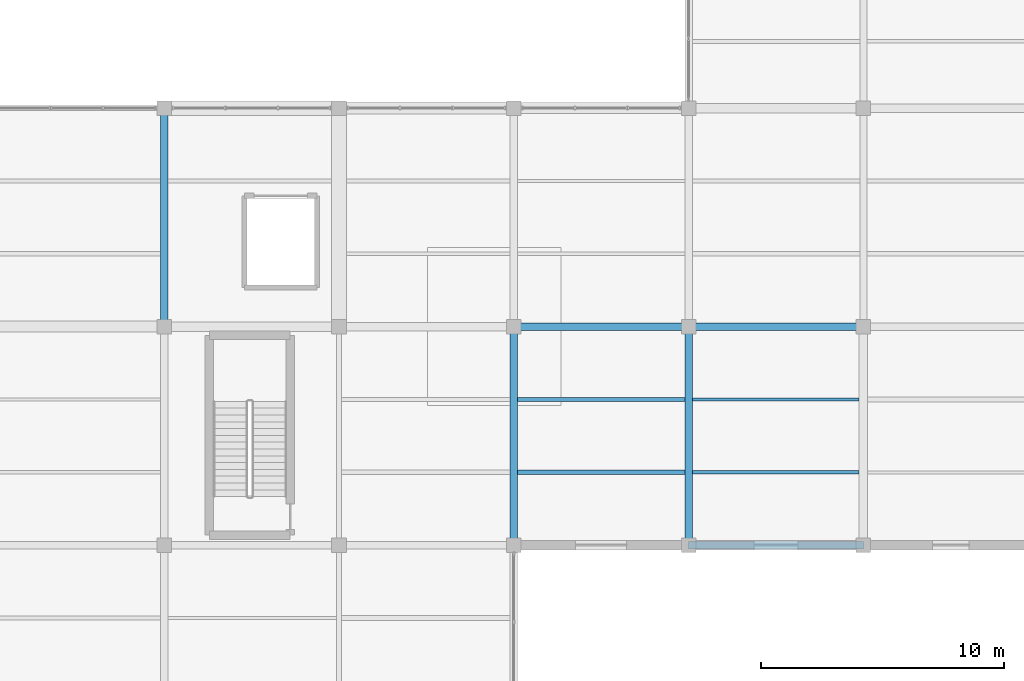
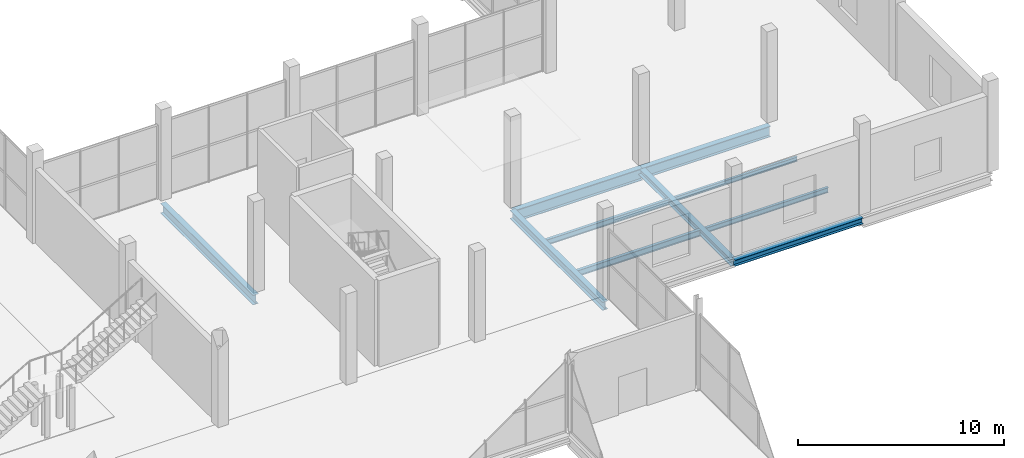
# One storey, part 87 of 141: 10 beams.
"""IFC4 building model written with IfcOpenShell, lengths in metres."""

from ifc_helpers import new_model, si_unit, direction, frame, origin, origin_2d, place, context, subcontext, project, spatial, i_section, extrude, material, material_profile, profile_set, type_object, element, save


model = new_model("IFC4")

# Units and contexts
model_context = context("Model", 3, precision=1e-05, world=origin(), true_north=direction((0.0, 1.0)))
body_context = subcontext(model_context, "Body", "Model", "MODEL_VIEW")
ifc_project = project(units=[si_unit("LENGTHUNIT", "METRE"), si_unit("AREAUNIT", "SQUARE_METRE"), si_unit("VOLUMEUNIT", "CUBIC_METRE"), si_unit("PLANEANGLEUNIT", "RADIAN"), si_unit("MASSUNIT", "GRAM", prefix="KILO")], contexts=[model_context])

# Site, building, storey
site_placement = place(None, origin())
site = spatial("IfcSite", under=ifc_project, at=site_placement, CompositionType="ELEMENT")
building_placement = place(site_placement, origin())
building = spatial("IfcBuilding", under=site, at=building_placement, Name="Sundgate Opera House", CompositionType="ELEMENT")
storey_placement = place(building_placement, frame((0.0, 0.0, 11.39990234375)))
storey = spatial("IfcBuildingStorey", under=building, at=storey_placement, Name="L02", CompositionType="ELEMENT", Elevation=11.39990234375)

# Beams
ifc_material_1 = material(Name="Steel S355J2", Category="steel")
ifc_material_profile_1 = material_profile(ifc_material_1, i_section(OverallWidth=0.300048828125, OverallDepth=0.389892578125, WebThickness=0.010986328125, FlangeThickness=0.01904296875, at=origin_2d()), Name="HEA 400")
ifc_profile_set_1 = profile_set([ifc_material_profile_1], Name="Steel S355J2")
beam_type_1 = type_object("IfcBeamType", Name="BM-GR-HEA400", PredefinedType="BEAM", material=ifc_profile_set_1)
beam_1_placement = place(storey_placement, frame((153.0, 69.0, -0.544921875), z_axis=(0.0, 1.0, 0.0), x_axis=(-1.0, 0.0, 0.0)))
element("IfcBeam", 1, at=beam_1_placement, inside=storey, type_object=beam_type_1, Name="L02 Primary N-S Girder B1934", PredefinedType="BEAM", context=body_context, shape_type="SweptSolid", body=[
    extrude(i_section(OverallWidth=0.300048828125, OverallDepth=0.389892578125, WebThickness=0.010986328125, FlangeThickness=0.01904296875, at=origin_2d()), origin(), (0.0, 0.0, 1.0), 9.0),
])
ifc_material_2 = material(Name="Steel S355J2", Category="steel")
ifc_material_profile_2 = material_profile(ifc_material_2, i_section(OverallWidth=0.300048828125, OverallDepth=0.590087890625, WebThickness=0.012939453125, FlangeThickness=0.02490234375, at=origin_2d()), Name="HEA 600")
ifc_profile_set_2 = profile_set([ifc_material_profile_2], Name="Steel S355J2")
beam_type_2 = type_object("IfcBeamType", Name="BM-GR-HEA600", PredefinedType="BEAM", material=ifc_profile_set_2)
beam_2_placement = place(storey_placement, frame((131.39990234375, 78.0, -0.64501953125), z_axis=(0.0, 1.0, 0.0), x_axis=(-1.0, 0.0, 0.0)))
element("IfcBeam", 2, at=beam_2_placement, inside=storey, type_object=beam_type_2, Name="L02 Primary N-S Girder B1909", PredefinedType="BEAM", context=body_context, shape_type="SweptSolid", body=[
    extrude(i_section(OverallWidth=0.300048828125, OverallDepth=0.590087890625, WebThickness=0.012939453125, FlangeThickness=0.02490234375, at=origin_2d()), origin(), (0.0, 0.0, 1.0), 9.0),
])
ifc_material_3 = material(Name="Steel S355J2", Category="steel")
ifc_material_profile_3 = material_profile(ifc_material_3, i_section(OverallWidth=0.300048828125, OverallDepth=0.360107421875, WebThickness=0.012451171875, FlangeThickness=0.0224609375, at=origin_2d()), Name="HEB 360")
ifc_profile_set_3 = profile_set([ifc_material_profile_3], Name="Steel S355J2")
beam_type_3 = type_object("IfcBeamType", Name="BM-GR-HEB360", PredefinedType="BEAM", material=ifc_profile_set_3)
beam_3_placement = place(storey_placement, frame((153.0, 69.0, -0.52978515625), z_axis=(1.0, 0.0, 0.0), x_axis=(0.0, 1.0, 0.0)))
element("IfcBeam", 3, at=beam_3_placement, inside=storey, type_object=beam_type_3, Name="L02 Primary E-W Girder B2042", PredefinedType="BEAM", context=body_context, shape_type="SweptSolid", body=[
    extrude(i_section(OverallWidth=0.300048828125, OverallDepth=0.360107421875, WebThickness=0.012451171875, FlangeThickness=0.0224609375, at=origin_2d()), origin(), (0.0, 0.0, 1.0), 7.199951171875),
])
ifc_material_4 = material(Name="Steel S355J2", Category="steel")
ifc_material_profile_4 = material_profile(ifc_material_4, i_section(OverallWidth=0.300048828125, OverallDepth=0.5, WebThickness=0.014404296875, FlangeThickness=0.028076171875, at=origin_2d()), Name="HEB 500")
ifc_profile_set_4 = profile_set([ifc_material_profile_4], Name="Steel S355J2")
beam_type_4 = type_object("IfcBeamType", Name="BM-GR-HEB500", PredefinedType="BEAM", material=ifc_profile_set_4)
beam_4_placement = place(storey_placement, frame((145.800048828125, 69.0, -0.599853515625), z_axis=(0.0, 1.0, 0.0), x_axis=(-1.0, 0.0, 0.0)))
element("IfcBeam", 4, at=beam_4_placement, inside=storey, type_object=beam_type_4, Name="L02 Primary N-S Girder B1927", PredefinedType="BEAM", context=body_context, shape_type="SweptSolid", body=[
    extrude(i_section(OverallWidth=0.300048828125, OverallDepth=0.5, WebThickness=0.014404296875, FlangeThickness=0.028076171875, at=origin_2d()), origin(), (0.0, 0.0, 1.0), 9.0),
])
ifc_material_5 = material(Name="Steel S355J2", Category="steel")
ifc_material_profile_5 = material_profile(ifc_material_5, i_section(OverallWidth=0.300048828125, OverallDepth=0.64990234375, WebThickness=0.01611328125, FlangeThickness=0.031005859375, at=origin_2d()), Name="HEB 650")
ifc_profile_set_5 = profile_set([ifc_material_profile_5], Name="Steel S355J2")
beam_type_5 = type_object("IfcBeamType", Name="BM-GR-HEB650", PredefinedType="BEAM", material=ifc_profile_set_5)
beam_5_placement = place(storey_placement, frame((153.0, 78.0, -0.6748046875), z_axis=(1.0, 0.0, 0.0), x_axis=(0.0, 1.0, 0.0)))
element("IfcBeam", 5, at=beam_5_placement, inside=storey, type_object=beam_type_5, Name="L02 Primary E-W Girder B2054", PredefinedType="BEAM", context=body_context, shape_type="SweptSolid", body=[
    extrude(i_section(OverallWidth=0.300048828125, OverallDepth=0.64990234375, WebThickness=0.01611328125, FlangeThickness=0.031005859375, at=origin_2d()), origin(), (0.0, 0.0, 1.0), 7.199951171875),
])
ifc_material_6 = material(Name="Steel S355J2", Category="steel")
ifc_material_profile_6 = material_profile(ifc_material_6, i_section(OverallWidth=0.300048828125, OverallDepth=0.699951171875, WebThickness=0.01708984375, FlangeThickness=0.031982421875, at=origin_2d()), Name="HEB 700")
ifc_profile_set_6 = profile_set([ifc_material_profile_6], Name="Steel S355J2")
beam_type_6 = type_object("IfcBeamType", Name="BM-GR-HEB700", PredefinedType="BEAM", material=ifc_profile_set_6)
beam_6_placement = place(storey_placement, frame((145.800048828125, 78.0, -0.699951171875), z_axis=(1.0, 0.0, 0.0), x_axis=(0.0, 1.0, 0.0)))
element("IfcBeam", 6, at=beam_6_placement, inside=storey, type_object=beam_type_6, Name="L02 Primary E-W Girder B2053", PredefinedType="BEAM", context=body_context, shape_type="SweptSolid", body=[
    extrude(i_section(OverallWidth=0.300048828125, OverallDepth=0.699951171875, WebThickness=0.01708984375, FlangeThickness=0.031982421875, at=origin_2d()), origin(), (0.0, 0.0, 1.0), 7.199951171875),
])
ifc_material_7 = material(Name="Steel S355J2", Category="steel")
ifc_material_profile_7 = material_profile(ifc_material_7, i_section(OverallWidth=0.135009765625, OverallDepth=0.27001953125, WebThickness=0.006591796875, FlangeThickness=0.01025390625, at=origin_2d()), Name="IPE 270")
ifc_profile_set_7 = profile_set([ifc_material_profile_7], Name="Steel S355J2")
beam_type_7 = type_object("IfcBeamType", Name="BM-JS-IPE270", PredefinedType="JOIST", material=ifc_profile_set_7)
beam_7_placement = place(storey_placement, frame((153.14990234375, 75.0, -0.48486328125), z_axis=(1.0, 0.0, 0.0), x_axis=(0.0, 1.0, 0.0)))
element("IfcBeam", 7, at=beam_7_placement, inside=storey, type_object=beam_type_7, Name="L02 Secondary Floor Joist B2302", PredefinedType="JOIST", context=body_context, shape_type="SweptSolid", body=[
    extrude(i_section(OverallWidth=0.135009765625, OverallDepth=0.27001953125, WebThickness=0.006591796875, FlangeThickness=0.01025390625, at=origin_2d()), origin(), (0.0, 0.0, 1.0), 6.875),
])
ifc_material_8 = material(Name="Steel S355J2", Category="steel")
ifc_material_profile_8 = material_profile(ifc_material_8, i_section(OverallWidth=0.14990234375, OverallDepth=0.300048828125, WebThickness=0.007080078125, FlangeThickness=0.0107421875, at=origin_2d()), Name="IPE 300")
ifc_profile_set_8 = profile_set([ifc_material_profile_8], Name="Steel S355J2")
beam_type_8 = type_object("IfcBeamType", Name="BM-JS-IPE300", PredefinedType="JOIST", material=ifc_profile_set_8)
beam_8_placement = place(storey_placement, frame((153.14990234375, 72.0, -0.5), z_axis=(1.0, 0.0, 0.0), x_axis=(0.0, 1.0, 0.0)))
element("IfcBeam", 8, at=beam_8_placement, inside=storey, type_object=beam_type_8, Name="L02 Secondary Floor Joist B2301", PredefinedType="JOIST", context=body_context, shape_type="SweptSolid", body=[
    extrude(i_section(OverallWidth=0.14990234375, OverallDepth=0.300048828125, WebThickness=0.007080078125, FlangeThickness=0.0107421875, at=origin_2d()), origin(), (0.0, 0.0, 1.0), 6.875),
])
ifc_material_9 = material(Name="Steel S355J2", Category="steel")
ifc_material_profile_9 = material_profile(ifc_material_9, i_section(OverallWidth=0.159912109375, OverallDepth=0.330078125, WebThickness=0.007568359375, FlangeThickness=0.011474609375, at=origin_2d()), Name="IPE 330")
ifc_profile_set_9 = profile_set([ifc_material_profile_9], Name="Steel S355J2")
beam_type_9 = type_object("IfcBeamType", Name="BM-JS-IPE330", PredefinedType="JOIST", material=ifc_profile_set_9)
beam_9_placement = place(storey_placement, frame((145.949951171875, 75.0, -0.514892578125), z_axis=(1.0, 0.0, 0.0), x_axis=(0.0, 1.0, 0.0)))
element("IfcBeam", 9, at=beam_9_placement, inside=storey, type_object=beam_type_9, Name="L02 Secondary Floor Joist B2300", PredefinedType="JOIST", context=body_context, shape_type="SweptSolid", body=[
    extrude(i_section(OverallWidth=0.159912109375, OverallDepth=0.330078125, WebThickness=0.007568359375, FlangeThickness=0.011474609375, at=origin_2d()), origin(), (0.0, 0.0, 1.0), 6.900146484375),
])
ifc_material_10 = material(Name="Steel S355J2", Category="steel")
ifc_material_profile_10 = material_profile(ifc_material_10, i_section(OverallWidth=0.169921875, OverallDepth=0.360107421875, WebThickness=0.008056640625, FlangeThickness=0.0126953125, at=origin_2d()), Name="IPE 360")
ifc_profile_set_10 = profile_set([ifc_material_profile_10], Name="Steel S355J2")
beam_type_10 = type_object("IfcBeamType", Name="BM-JS-IPE360", PredefinedType="JOIST", material=ifc_profile_set_10)
beam_10_placement = place(storey_placement, frame((145.949951171875, 72.0, -0.52978515625), z_axis=(1.0, 0.0, 0.0), x_axis=(0.0, 1.0, 0.0)))
element("IfcBeam", 10, at=beam_10_placement, inside=storey, type_object=beam_type_10, Name="L02 Secondary Floor Joist B2299", PredefinedType="JOIST", context=body_context, shape_type="SweptSolid", body=[
    extrude(i_section(OverallWidth=0.169921875, OverallDepth=0.360107421875, WebThickness=0.008056640625, FlangeThickness=0.0126953125, at=origin_2d()), origin(), (0.0, 0.0, 1.0), 6.900146484375),
])

save(model, "model.ifc")
